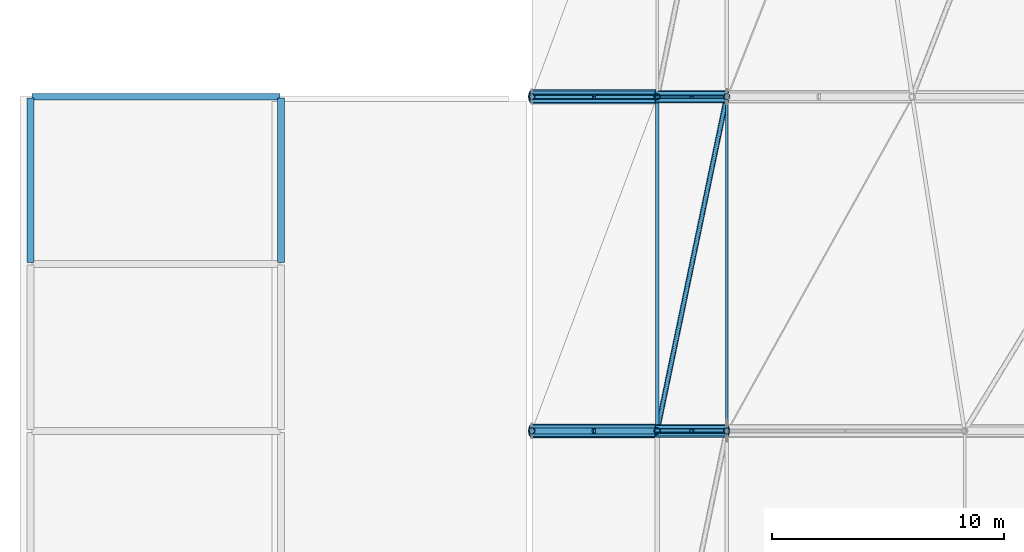
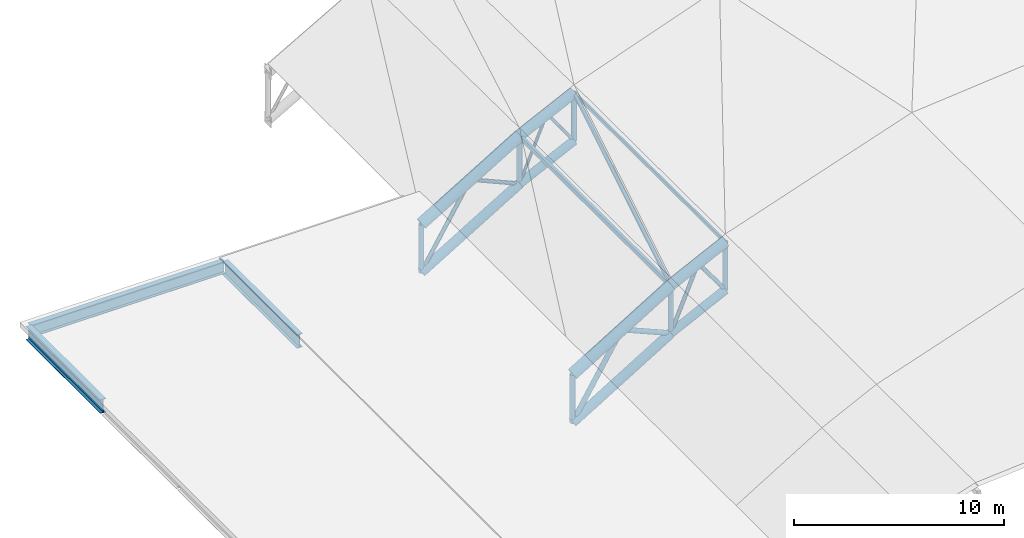
# One storey, part 11 of 36: 25 members, 3 beams.
"""IFC4 building model written with IfcOpenShell, lengths in metres."""

from ifc_helpers import new_model, si_unit, direction, frame, origin, origin_2d, place, context, subcontext, project, spatial, hollow_rectangle, hollow_circle, i_section, extrude, material, material_profile, profile_set, type_object, element, save


model = new_model("IFC4")

# Units and contexts
model_context = context("Model", 3, precision=1e-05, world=origin(), true_north=direction((0.0, 1.0)))
body_context = subcontext(model_context, "Body", "Model", "MODEL_VIEW")
ifc_project = project(units=[si_unit("LENGTHUNIT", "METRE"), si_unit("AREAUNIT", "SQUARE_METRE"), si_unit("VOLUMEUNIT", "CUBIC_METRE"), si_unit("PLANEANGLEUNIT", "RADIAN"), si_unit("MASSUNIT", "GRAM", prefix="KILO")], contexts=[model_context])

# Site, building, storey
site_placement = place(None, origin())
site = spatial("IfcSite", under=ifc_project, at=site_placement, CompositionType="ELEMENT")
building_placement = place(site_placement, origin())
building = spatial("IfcBuilding", under=site, at=building_placement, Name="Koshinbarg Plaza Stadium", CompositionType="ELEMENT")
storey_placement = place(building_placement, frame((0.0, 0.0, 34.199951171875)))
storey = spatial("IfcBuildingStorey", under=building, at=storey_placement, Name="RF", CompositionType="ELEMENT", Elevation=34.199951171875)

# Beams
ifc_material = material(Name="Steel S355", Category="steel")
ifc_material_profile_1 = material_profile(ifc_material, i_section(OverallWidth=0.300048828125, OverallDepth=0.699951171875, WebThickness=0.01708984375, FlangeThickness=0.031982421875, at=origin_2d()), Name="HEB 700")
ifc_profile_set_1 = profile_set([ifc_material_profile_1], Name="Steel S355")
beam_type_1 = type_object("IfcBeamType", Name="BM-SGIR-03", PredefinedType="USERDEFINED", material=ifc_profile_set_1)
beam_placement = place(storey_placement, frame((24.659912109375, 111.89990234375, -0.64990234375), z_axis=(1.0, 0.0, 0.0), x_axis=(0.0, 1.0, 0.0)))
element("IfcBeam", 1, at=beam_placement, inside=storey, type_object=beam_type_1, Name="RF roof girder Q/5-6", ObjectType="GIRDER", PredefinedType="USERDEFINED", context=body_context, shape_type="SweptSolid", body=[
    extrude(i_section(OverallWidth=0.300048828125, OverallDepth=0.699951171875, WebThickness=0.01708984375, FlangeThickness=0.031982421875, at=origin_2d()), origin(), (0.0, 0.0, 1.0), 10.68017578125),
])
ifc_material_profile_2 = material_profile(ifc_material, i_section(OverallWidth=0.300048828125, OverallDepth=0.800048828125, WebThickness=0.017578125, FlangeThickness=0.032958984375, at=origin_2d()), Name="HEB 800")
ifc_profile_set_2 = profile_set([ifc_material_profile_2], Name="Steel S355")
beam_type_2 = type_object("IfcBeamType", Name="BM-SGIR-04", PredefinedType="USERDEFINED", material=ifc_profile_set_2)
for number, where, z_axis, x_axis, name in (
    (2, (24.60009765625, 104.760009765625, -0.699951171875), (0.0, 1.0, 0.0), (-1.0, 0.0, 0.0), "RF roof girder 5/P-Q"),
    (3, (35.39990234375, 104.760009765625, -0.699951171875), (0.0, 1.0, 0.0), (-1.0, 0.0, 0.0), "RF roof girder 6/P-Q"),
):
    element("IfcBeam", number, at=place(storey_placement, frame(where, z_axis=z_axis, x_axis=x_axis)), inside=storey, type_object=beam_type_2, Name=name, ObjectType="GIRDER", PredefinedType="USERDEFINED", context=body_context, shape_type="SweptSolid", body=[
        extrude(i_section(OverallWidth=0.300048828125, OverallDepth=0.800048828125, WebThickness=0.017578125, FlangeThickness=0.032958984375, at=origin_2d()), origin(), (0.0, 0.0, 1.0), 7.080078125),
    ])

# Members
ifc_material_profile_3 = material_profile(ifc_material, hollow_circle(Radius=0.136474609375, WallThickness=0.012451171875, at=origin_2d()), Name="CHS 273x12.5")
ifc_profile_set_3 = profile_set([ifc_material_profile_3], Name="Steel S355")
member_type_1 = type_object("IfcMemberType", Name="MB-BRACE-02", PredefinedType="BRACE", material=ifc_profile_set_3)
member_1_placement = place(storey_placement, frame((46.199951171875, 97.5, -4.800048828125), z_axis=(0.519370245222, 0.0, 0.854549324719), x_axis=(0.0, 1.0, 0.0)))
element("IfcMember", 4, at=member_1_placement, inside=storey, type_object=member_type_1, Name="Quarter-barrel roof truss web diagonal WRB-06-1A", PredefinedType="BRACE", context=body_context, shape_type="SweptSolid", body=[
    extrude(hollow_circle(Radius=0.136474609375, WallThickness=0.012451171875, at=origin_2d()), origin(), (0.0, 0.0, 1.0), 5.198486328125),
])
member_2_placement = place(storey_placement, frame((48.89990234375, 97.5, -0.357666015625), z_axis=(0.919114938458, 0.0, -0.393989504813), x_axis=(0.0, 1.0, 0.0)))
element("IfcMember", 5, at=member_2_placement, inside=storey, type_object=member_type_1, Name="Quarter-barrel roof truss web diagonal WRB-06-1B", PredefinedType="BRACE", context=body_context, shape_type="SweptSolid", body=[
    extrude(hollow_circle(Radius=0.136474609375, WallThickness=0.012451171875, at=origin_2d()), origin(), (0.0, 0.0, 1.0), 2.937744140625),
])
for number, where, z_axis, x_axis, name in (
    (6, (46.199951171875, 97.5, -4.800048828125), (0.0, 0.0, 1.0), (1.0, 0.0, 0.0), "Quarter-barrel roof truss post WRB-06-1"),
    (7, (51.60009765625, 97.5, -1.51513671875), (0.0, 0.0, 1.0), (1.0, 0.0, 0.0), "Quarter-barrel roof truss post WRB-06-2"),
    (8, (54.60009765625, 97.5, -0.0400390625), (0.0, 0.0, 1.0), (1.0, 0.0, 0.0), "Quarter-barrel roof truss post WRB-06-3"),
    (9, (46.199951171875, 111.89990234375, -4.800048828125), (0.0, 0.0, 1.0), (1.0, 0.0, 0.0), "Quarter-barrel roof truss post WRB-07-1"),
    (10, (51.60009765625, 111.89990234375, -1.557861328125), (0.0, 0.0, 1.0), (1.0, 0.0, 0.0), "Quarter-barrel roof truss post WRB-07-2"),
    (11, (54.60009765625, 111.89990234375, -0.10302734375), (0.0, 0.0, 1.0), (1.0, 0.0, 0.0), "Quarter-barrel roof truss post WRB-07-3"),
):
    element("IfcMember", number, at=place(storey_placement, frame(where, z_axis=z_axis, x_axis=x_axis)), inside=storey, type_object=member_type_1, Name=name, PredefinedType="BRACE", context=body_context, shape_type="SweptSolid", body=[
        extrude(hollow_circle(Radius=0.136474609375, WallThickness=0.012451171875, at=origin_2d()), origin(), (0.0, 0.0, 1.0), 2.800048828125),
    ])
ifc_material_profile_4 = material_profile(ifc_material, hollow_circle(Radius=0.109619140625, WallThickness=0.010009765625, at=origin_2d()), Name="CHS 219.1x10")
ifc_profile_set_4 = profile_set([ifc_material_profile_4], Name="Steel S355")
member_type_2 = type_object("IfcMemberType", Name="MB-BRACE-03", PredefinedType="BRACE", material=ifc_profile_set_4)
member_3_placement = place(storey_placement, frame((51.60009765625, 97.5, -1.51513671875), z_axis=(0.390373616202, 0.0, 0.920656526492), x_axis=(0.0, 1.0, 0.0)))
element("IfcMember", 12, at=member_3_placement, inside=storey, type_object=member_type_2, Name="Quarter-barrel roof truss web diagonal WRB-06-2A", PredefinedType="BRACE", context=body_context, shape_type="SweptSolid", body=[
    extrude(hollow_circle(Radius=0.109619140625, WallThickness=0.010009765625, at=origin_2d()), origin(), (0.0, 0.0, 1.0), 3.842529296875),
])
member_4_placement = place(storey_placement, frame((53.10009765625, 97.5, 2.0224609375), z_axis=(0.588171697675, 0.0, -0.808736084303), x_axis=(0.0, 1.0, 0.0)))
element("IfcMember", 13, at=member_4_placement, inside=storey, type_object=member_type_2, Name="Quarter-barrel roof truss web diagonal WRB-06-2B", PredefinedType="BRACE", context=body_context, shape_type="SweptSolid", body=[
    extrude(hollow_circle(Radius=0.109619140625, WallThickness=0.010009765625, at=origin_2d()), origin(), (0.0, 0.0, 1.0), 2.55029296875),
])
member_5_placement = place(storey_placement, frame((46.199951171875, 111.89990234375, -4.800048828125), z_axis=(0.521188821641, 0.0, 0.853441393534), x_axis=(0.0, 1.0, 0.0)))
element("IfcMember", 14, at=member_5_placement, inside=storey, type_object=member_type_2, Name="Quarter-barrel roof truss web diagonal WRB-07-1A", PredefinedType="BRACE", context=body_context, shape_type="SweptSolid", body=[
    extrude(hollow_circle(Radius=0.109619140625, WallThickness=0.010009765625, at=origin_2d()), origin(), (0.0, 0.0, 1.0), 5.180419921875),
])
member_6_placement = place(storey_placement, frame((48.89990234375, 111.89990234375, -0.37890625), z_axis=(0.916453757084, 0.0, -0.400140614192), x_axis=(0.0, 1.0, 0.0)))
element("IfcMember", 15, at=member_6_placement, inside=storey, type_object=member_type_2, Name="Quarter-barrel roof truss web diagonal WRB-07-1B", PredefinedType="BRACE", context=body_context, shape_type="SweptSolid", body=[
    extrude(hollow_circle(Radius=0.109619140625, WallThickness=0.010009765625, at=origin_2d()), origin(), (0.0, 0.0, 1.0), 2.9462890625),
])
member_7_placement = place(storey_placement, frame((51.60009765625, 97.5, 1.284912109375), z_axis=(0.203022150186, 0.9744997121, 0.095563160537), x_axis=(-0.978980143565, 0.203955579738, 0.0)))
element("IfcMember", 16, at=member_7_placement, inside=storey, type_object=member_type_2, Name="Roof plan wind brace west bay 6.2", PredefinedType="BRACE", context=body_context, shape_type="SweptSolid", body=[
    extrude(hollow_circle(Radius=0.109619140625, WallThickness=0.010009765625, at=origin_2d()), origin(), (0.0, 0.0, 1.0), 14.776611328125),
])
ifc_material_profile_5 = material_profile(ifc_material, hollow_circle(Radius=0.084228515625, WallThickness=0.008056640625, at=origin_2d()), Name="CHS 168.3x8")
ifc_profile_set_5 = profile_set([ifc_material_profile_5], Name="Steel S355")
member_type_3 = type_object("IfcMemberType", Name="MB-BRACE-04", PredefinedType="BRACE", material=ifc_profile_set_5)
member_8_placement = place(storey_placement, frame((51.60009765625, 111.89990234375, -1.557861328125), z_axis=(0.391311912373, 0.0, 0.92025810903), x_axis=(0.0, 1.0, 0.0)))
element("IfcMember", 17, at=member_8_placement, inside=storey, type_object=member_type_3, Name="Quarter-barrel roof truss web diagonal WRB-07-2A", PredefinedType="BRACE", context=body_context, shape_type="SweptSolid", body=[
    extrude(hollow_circle(Radius=0.084228515625, WallThickness=0.008056640625, at=origin_2d()), origin(), (0.0, 0.0, 1.0), 3.833251953125),
])
member_9_placement = place(storey_placement, frame((53.10009765625, 111.89990234375, 1.9697265625), z_axis=(0.586263716238, 0.0, -0.810120271949), x_axis=(0.0, 1.0, 0.0)))
element("IfcMember", 18, at=member_9_placement, inside=storey, type_object=member_type_3, Name="Quarter-barrel roof truss web diagonal WRB-07-2B", PredefinedType="BRACE", context=body_context, shape_type="SweptSolid", body=[
    extrude(hollow_circle(Radius=0.084228515625, WallThickness=0.008056640625, at=origin_2d()), origin(), (0.0, 0.0, 1.0), 2.55859375),
])
ifc_material_profile_6 = material_profile(ifc_material, hollow_circle(Radius=0.304931640625, WallThickness=0.02490234375, at=origin_2d()), Name="CHS 610x25")
ifc_profile_set_6 = profile_set([ifc_material_profile_6], Name="Steel S355")
member_type_4 = type_object("IfcMemberType", Name="MB-CHORD-01", PredefinedType="CHORD", material=ifc_profile_set_6)
member_10_placement = place(storey_placement, frame((46.199951171875, 97.5, -2.0), z_axis=(0.854348438745, 0.0, 0.519700630377), x_axis=(0.0, 1.0, 0.0)))
element("IfcMember", 19, at=member_10_placement, inside=storey, type_object=member_type_4, Name="Quarter-barrel roof truss top chord WRB-06-1", PredefinedType="CHORD", context=body_context, shape_type="SweptSolid", body=[
    extrude(hollow_circle(Radius=0.304931640625, WallThickness=0.02490234375, at=origin_2d()), origin(), (0.0, 0.0, 1.0), 6.32080078125),
])
member_11_placement = place(storey_placement, frame((46.199951171875, 111.89990234375, -2.0), z_axis=(0.857345828386, 0.0, 0.514740838237), x_axis=(0.0, 1.0, 0.0)))
element("IfcMember", 20, at=member_11_placement, inside=storey, type_object=member_type_4, Name="Quarter-barrel roof truss top chord WRB-07-1", PredefinedType="CHORD", context=body_context, shape_type="SweptSolid", body=[
    extrude(hollow_circle(Radius=0.304931640625, WallThickness=0.02490234375, at=origin_2d()), origin(), (0.0, 0.0, 1.0), 6.298583984375),
])
ifc_material_profile_7 = material_profile(ifc_material, hollow_circle(Radius=0.279541015625, WallThickness=0.022216796875, at=origin_2d()), Name="CHS 559x22.2")
ifc_profile_set_7 = profile_set([ifc_material_profile_7], Name="Steel S355")
member_type_5 = type_object("IfcMemberType", Name="MB-CHORD-02", PredefinedType="CHORD", material=ifc_profile_set_7)
member_12_placement = place(storey_placement, frame((51.60009765625, 97.5, 1.284912109375), z_axis=(0.897386943952, 0.0, 0.441244459257), x_axis=(0.0, 1.0, 0.0)))
element("IfcMember", 21, at=member_12_placement, inside=storey, type_object=member_type_5, Name="Quarter-barrel roof truss top chord WRB-06-2", PredefinedType="CHORD", context=body_context, shape_type="SweptSolid", body=[
    extrude(hollow_circle(Radius=0.279541015625, WallThickness=0.022216796875, at=origin_2d()), origin(), (0.0, 0.0, 1.0), 3.343017578125),
])
member_13_placement = place(storey_placement, frame((51.60009765625, 111.89990234375, 1.2421875), z_axis=(0.899780132751, 0.0, 0.436343571864), x_axis=(0.0, 1.0, 0.0)))
element("IfcMember", 22, at=member_13_placement, inside=storey, type_object=member_type_5, Name="Quarter-barrel roof truss top chord WRB-07-2", PredefinedType="CHORD", context=body_context, shape_type="SweptSolid", body=[
    extrude(hollow_circle(Radius=0.279541015625, WallThickness=0.022216796875, at=origin_2d()), origin(), (0.0, 0.0, 1.0), 3.334228515625),
])
ifc_material_profile_8 = material_profile(ifc_material, hollow_circle(Radius=0.25390625, WallThickness=0.02001953125, at=origin_2d()), Name="CHS 508x20")
ifc_profile_set_8 = profile_set([ifc_material_profile_8], Name="Steel S355")
member_type_6 = type_object("IfcMemberType", Name="MB-CHORD-03", PredefinedType="CHORD", material=ifc_profile_set_8)
member_14_placement = place(storey_placement, frame((46.199951171875, 97.5, -4.800048828125), z_axis=(0.854348438745, 0.0, 0.519700630377), x_axis=(0.0, 1.0, 0.0)))
element("IfcMember", 23, at=member_14_placement, inside=storey, type_object=member_type_6, Name="Quarter-barrel roof truss bottom chord WRB-06-1", PredefinedType="CHORD", context=body_context, shape_type="SweptSolid", body=[
    extrude(hollow_circle(Radius=0.25390625, WallThickness=0.02001953125, at=origin_2d()), origin(), (0.0, 0.0, 1.0), 6.32080078125),
])
member_15_placement = place(storey_placement, frame((46.199951171875, 111.89990234375, -4.800048828125), z_axis=(0.857345828386, 0.0, 0.514740838237), x_axis=(0.0, 1.0, 0.0)))
element("IfcMember", 24, at=member_15_placement, inside=storey, type_object=member_type_6, Name="Quarter-barrel roof truss bottom chord WRB-07-1", PredefinedType="CHORD", context=body_context, shape_type="SweptSolid", body=[
    extrude(hollow_circle(Radius=0.25390625, WallThickness=0.02001953125, at=origin_2d()), origin(), (0.0, 0.0, 1.0), 6.298583984375),
])
ifc_material_profile_9 = material_profile(ifc_material, hollow_circle(Radius=0.228515625, WallThickness=0.02001953125, at=origin_2d()), Name="CHS 457x20")
ifc_profile_set_9 = profile_set([ifc_material_profile_9], Name="Steel S355")
member_type_7 = type_object("IfcMemberType", Name="MB-CHORD-04", PredefinedType="CHORD", material=ifc_profile_set_9)
member_16_placement = place(storey_placement, frame((51.60009765625, 97.5, -1.51513671875), z_axis=(0.897386943952, 0.0, 0.441244459257), x_axis=(0.0, 1.0, 0.0)))
element("IfcMember", 25, at=member_16_placement, inside=storey, type_object=member_type_7, Name="Quarter-barrel roof truss bottom chord WRB-06-2", PredefinedType="CHORD", context=body_context, shape_type="SweptSolid", body=[
    extrude(hollow_circle(Radius=0.228515625, WallThickness=0.02001953125, at=origin_2d()), origin(), (0.0, 0.0, 1.0), 3.343017578125),
])
member_17_placement = place(storey_placement, frame((51.60009765625, 111.89990234375, -1.557861328125), z_axis=(0.899780132751, 0.0, 0.436343571864), x_axis=(0.0, 1.0, 0.0)))
element("IfcMember", 26, at=member_17_placement, inside=storey, type_object=member_type_7, Name="Quarter-barrel roof truss bottom chord WRB-07-2", PredefinedType="CHORD", context=body_context, shape_type="SweptSolid", body=[
    extrude(hollow_circle(Radius=0.228515625, WallThickness=0.02001953125, at=origin_2d()), origin(), (0.0, 0.0, 1.0), 3.334228515625),
])
ifc_material_profile_10 = material_profile(ifc_material, hollow_rectangle(XDim=0.14990234375, YDim=0.25, WallThickness=0.010009765625, at=origin_2d()), Name="RHS 250x150x10")
ifc_profile_set_10 = profile_set([ifc_material_profile_10], Name="Steel S355")
member_type_8 = type_object("IfcMemberType", Name="MB-PURL-02", PredefinedType="PURLIN", material=ifc_profile_set_10)
member_18_placement = place(storey_placement, frame((51.60009765625, 97.5, 1.264892578125), z_axis=(0.0, 0.999995598464, -0.002966993824), x_axis=(-1.0, 0.0, 0.0)))
element("IfcMember", 27, at=member_18_placement, inside=storey, type_object=member_type_8, Name="Roof longitudinal purlin west bay 6.2", PredefinedType="PURLIN", context=body_context, shape_type="SweptSolid", body=[
    extrude(hollow_rectangle(XDim=0.14990234375, YDim=0.25, WallThickness=0.010009765625, at=origin_2d()), origin(), (0.0, 0.0, 1.0), 14.39990234375),
])
ifc_material_profile_11 = material_profile(ifc_material, hollow_rectangle(XDim=0.10009765625, YDim=0.199951171875, WallThickness=0.008056640625, at=origin_2d()), Name="RHS 200x100x8")
ifc_profile_set_11 = profile_set([ifc_material_profile_11], Name="Steel S355")
member_type_9 = type_object("IfcMemberType", Name="MB-PURL-03", PredefinedType="PURLIN", material=ifc_profile_set_11)
member_19_placement = place(storey_placement, frame((54.60009765625, 97.5, 2.739990234375), z_axis=(0.0, 0.999990433255, -0.004374174015), x_axis=(-1.0, 0.0, 0.0)))
element("IfcMember", 28, at=member_19_placement, inside=storey, type_object=member_type_9, Name="Roof longitudinal purlin west bay 6.3", PredefinedType="PURLIN", context=body_context, shape_type="SweptSolid", body=[
    extrude(hollow_rectangle(XDim=0.10009765625, YDim=0.199951171875, WallThickness=0.008056640625, at=origin_2d()), origin(), (0.0, 0.0, 1.0), 14.400146484375),
])

save(model, "model.ifc")
